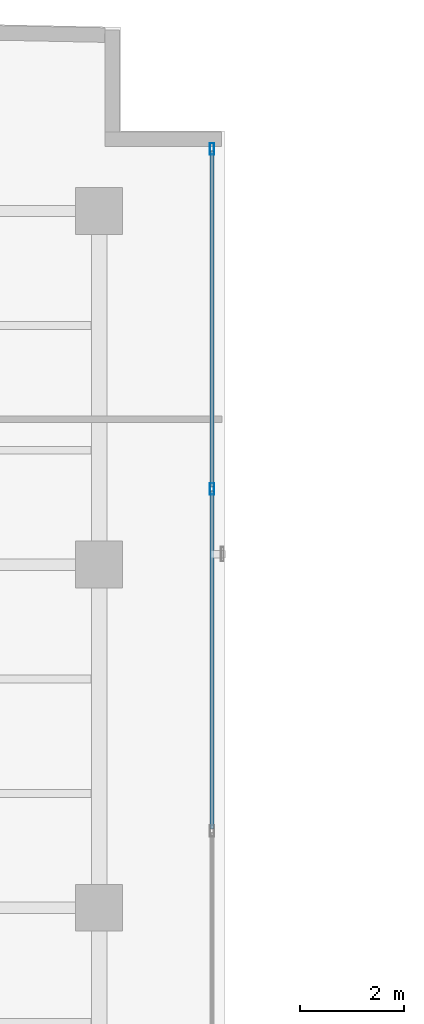
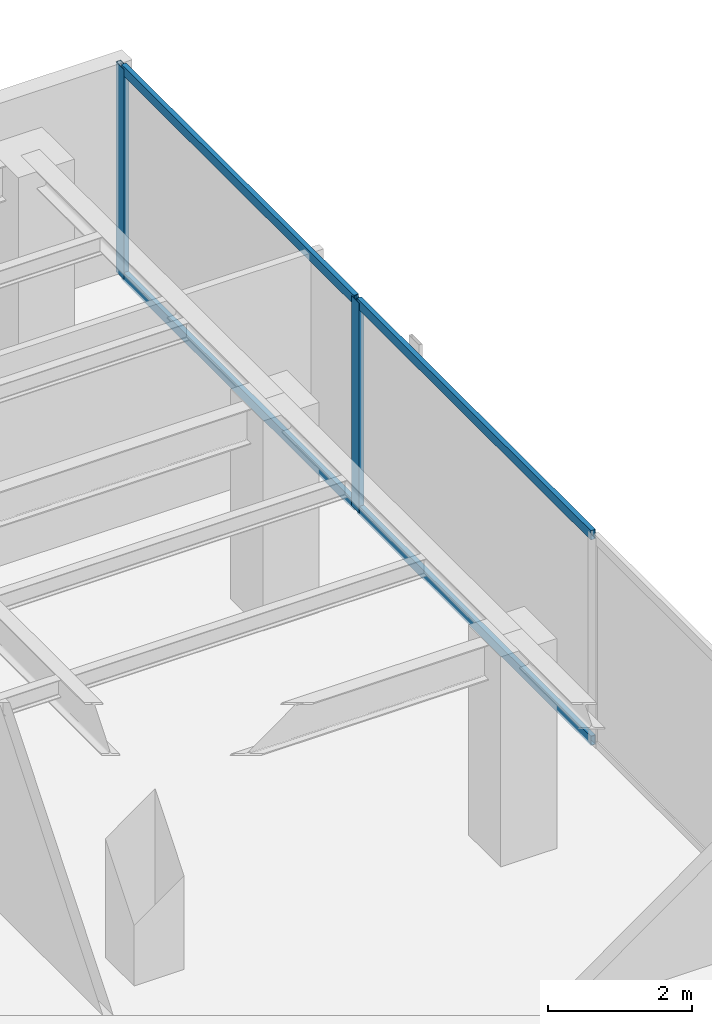
# One storey, part 15 of 24: 6 members, 1 element without a shape of its own.
"""IFC4 building model written with IfcOpenShell, lengths in metres."""

from ifc_helpers import new_model, si_unit, direction, frame, origin, origin_with_axes, origin_2d, place, context, subcontext, project, spatial, hollow_rectangle, extrude, source, transform, mapped, material, layer, layer_set, material_profile, profile_set, type_object, element, aggregate, save


model = new_model("IFC4")

# Units and contexts
model_context = context("Model", 3, precision=1e-05, world=origin(), true_north=direction((0.0, 1.0)))
body_context = subcontext(model_context, "Body", "Model", "MODEL_VIEW")
ifc_project = project(units=[si_unit("LENGTHUNIT", "METRE"), si_unit("AREAUNIT", "SQUARE_METRE"), si_unit("VOLUMEUNIT", "CUBIC_METRE"), si_unit("PLANEANGLEUNIT", "RADIAN"), si_unit("MASSUNIT", "GRAM", prefix="KILO")], contexts=[model_context])

# Site, building, storey
site_placement = place(None, origin())
site = spatial("IfcSite", under=ifc_project, at=site_placement, CompositionType="ELEMENT")
building_placement = place(site_placement, origin())
building = spatial("IfcBuilding", under=site, at=building_placement, Name="Kolvaren Waterfront Exchange", CompositionType="ELEMENT")
storey_placement = place(building_placement, frame((0.0, 0.0, 331.199951171875)))
storey = spatial("IfcBuildingStorey", under=building, at=storey_placement, Name="L85", CompositionType="ELEMENT", Elevation=331.199951171875)

# Curtain wall, members
ifc_material_1 = material(Name="Anodised bronze aluminium 6063-T6", Category="aluminium")
ifc_layer = layer(ifc_material_1, 0.219970703125, Name="Anodised bronze aluminium 6063-T6")
ifc_layer_set = layer_set([ifc_layer], Name="Anodised bronze aluminium 6063-T6")
curtain_wall_type = type_object("IfcCurtainWallType", Name="ARC-CW-SYS1", PredefinedType="USERDEFINED", material=ifc_layer_set)
curtain_wall_placement = place(storey_placement, origin())
curtain_wall = element("IfcCurtainWall", 1, at=curtain_wall_placement, inside=storey, type_object=curtain_wall_type, Name="L85 stick curtain wall CW1 (CW-L85-NE)", ObjectType="STICK CURTAIN WALL", PredefinedType="USERDEFINED")
ifc_material_2 = material(Name="Anodised aluminium 6063-T6", Category="aluminium")
ifc_material_profile_1 = material_profile(ifc_material_2, hollow_rectangle(XDim=0.080078125, YDim=0.219970703125, WallThickness=0.0048828125, at=origin_2d()), Name="ALU-MUL-220x80x5")
ifc_profile_set_1 = profile_set([ifc_material_profile_1], Name="Anodised aluminium 6063-T6")
member_type_1 = type_object("IfcMemberType", Name="ARC-CWM-220", PredefinedType="MULLION", material=ifc_profile_set_1)
shared_shape_1 = source(origin_with_axes(), body_context, "Body", "SweptSolid", [
    extrude(hollow_rectangle(XDim=0.080078125, YDim=0.219970703125, WallThickness=0.0048828125, at=origin_2d()), origin(), (0.0, 0.0, 1.0), 3.56005859375),
])
member_1_placement = place(storey_placement, frame((20.970458984375, 39.258056640625, 0.0), z_axis=(0.0, 0.0, 1.0), x_axis=(-1.0, 0.0, 0.0)))
member_1 = element("IfcMember", 2, at=member_1_placement, type_object=member_type_1, Name="CW1 mullion 3", PredefinedType="MULLION", context=body_context, shape_type="MappedRepresentation", body=[
    mapped(shared_shape_1, transform((0.0, 0.0, 0.0), x_axis=(1.0, 0.0, 0.0), y_axis=(0.0, 1.0, 0.0), z_axis=(0.0, 0.0, 1.0), scale=1.0)),
])
member_2_placement = place(storey_placement, frame((20.970458984375, 45.796875, 0.0), z_axis=(0.0, 0.0, 1.0), x_axis=(-1.0, 0.0, 0.0)))
member_2 = element("IfcMember", 3, at=member_2_placement, type_object=member_type_1, Name="CW1 mullion 4", PredefinedType="MULLION", context=body_context, shape_type="MappedRepresentation", body=[
    mapped(shared_shape_1, transform((0.0, 0.0, 0.0), x_axis=(1.0, 0.0, 0.0), y_axis=(0.0, 1.0, 0.0), z_axis=(0.0, 0.0, 1.0), scale=1.0)),
])
ifc_material_profile_2 = material_profile(ifc_material_2, hollow_rectangle(XDim=0.074951171875, YDim=0.159912109375, WallThickness=0.00439453125, at=origin_2d()), Name="ALU-TRN-160x75x4.5")
ifc_profile_set_2 = profile_set([ifc_material_profile_2], Name="Anodised aluminium 6063-T6")
member_type_2 = type_object("IfcMemberType", Name="ARC-CWT-160", PredefinedType="USERDEFINED", material=ifc_profile_set_2)
shared_shape_2 = source(origin_with_axes(), body_context, "Body", "SweptSolid", [
    extrude(hollow_rectangle(XDim=0.074951171875, YDim=0.159912109375, WallThickness=0.00439453125, at=origin_2d()), origin(), (0.0, 0.0, 1.0), 6.458740234375),
])
member_3_placement = place(storey_placement, frame((20.970458984375, 39.298095703125, 0.03759765625), z_axis=(0.0, 1.0, 0.0), x_axis=(-1.0, 0.0, 0.0)))
member_3 = element("IfcMember", 4, at=member_3_placement, type_object=member_type_2, Name="CW1 transom 3.1", ObjectType="TRANSOM", PredefinedType="USERDEFINED", context=body_context, shape_type="MappedRepresentation", body=[
    mapped(shared_shape_2, transform((0.0, 0.0, 0.0), x_axis=(1.0, 0.0, 0.0), y_axis=(0.0, 1.0, 0.0), z_axis=(0.0, 0.0, 1.0), scale=1.0)),
])
member_4_placement = place(storey_placement, frame((20.970458984375, 39.298095703125, 3.5224609375), z_axis=(0.0, 1.0, 0.0), x_axis=(-1.0, 0.0, 0.0)))
member_4 = element("IfcMember", 5, at=member_4_placement, type_object=member_type_2, Name="CW1 transom 3.2", ObjectType="TRANSOM", PredefinedType="USERDEFINED", context=body_context, shape_type="MappedRepresentation", body=[
    mapped(shared_shape_2, transform((0.0, 0.0, 0.0), x_axis=(1.0, 0.0, 0.0), y_axis=(0.0, 1.0, 0.0), z_axis=(0.0, 0.0, 1.0), scale=1.0)),
])
shared_shape_3 = source(origin_with_axes(), body_context, "Body", "SweptSolid", [
    extrude(hollow_rectangle(XDim=0.074951171875, YDim=0.159912109375, WallThickness=0.00439453125, at=origin_2d()), origin(), (0.0, 0.0, 1.0), 6.498779296875),
])
member_5_placement = place(storey_placement, frame((20.970458984375, 32.71923828125, 0.03759765625), z_axis=(0.0, 1.0, 0.0), x_axis=(-1.0, 0.0, 0.0)))
member_5 = element("IfcMember", 6, at=member_5_placement, type_object=member_type_2, Name="CW1 transom 2.1", ObjectType="TRANSOM", PredefinedType="USERDEFINED", context=body_context, shape_type="MappedRepresentation", body=[
    mapped(shared_shape_3, transform((0.0, 0.0, 0.0), x_axis=(1.0, 0.0, 0.0), y_axis=(0.0, 1.0, 0.0), z_axis=(0.0, 0.0, 1.0), scale=1.0)),
])
member_6_placement = place(storey_placement, frame((20.970458984375, 32.71923828125, 3.5224609375), z_axis=(0.0, 1.0, 0.0), x_axis=(-1.0, 0.0, 0.0)))
member_6 = element("IfcMember", 7, at=member_6_placement, type_object=member_type_2, Name="CW1 transom 2.2", ObjectType="TRANSOM", PredefinedType="USERDEFINED", context=body_context, shape_type="MappedRepresentation", body=[
    mapped(shared_shape_3, transform((0.0, 0.0, 0.0), x_axis=(1.0, 0.0, 0.0), y_axis=(0.0, 1.0, 0.0), z_axis=(0.0, 0.0, 1.0), scale=1.0)),
])
aggregate(curtain_wall, [member_1, member_2, member_5, member_6, member_3, member_4])

save(model, "model.ifc")
